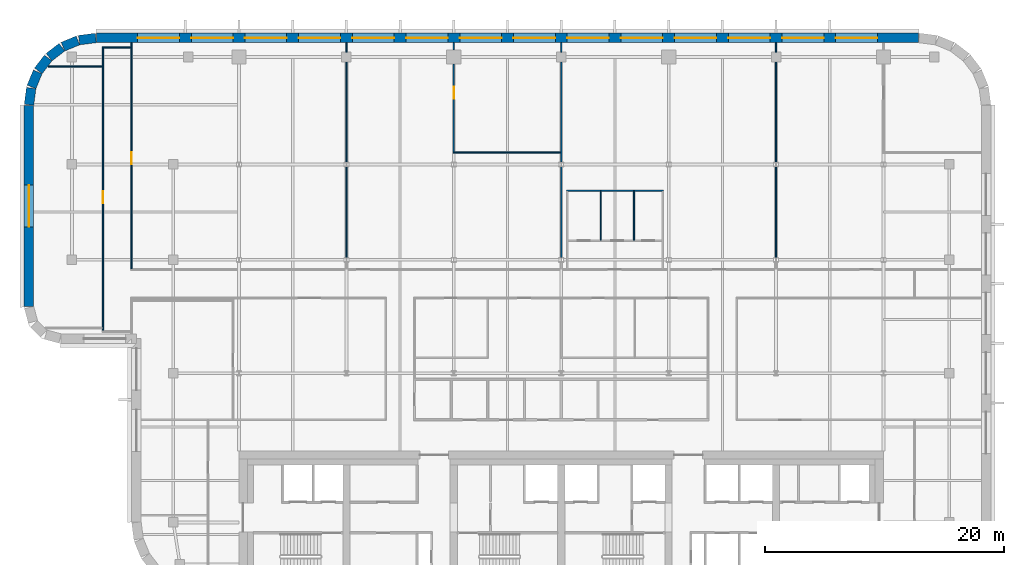
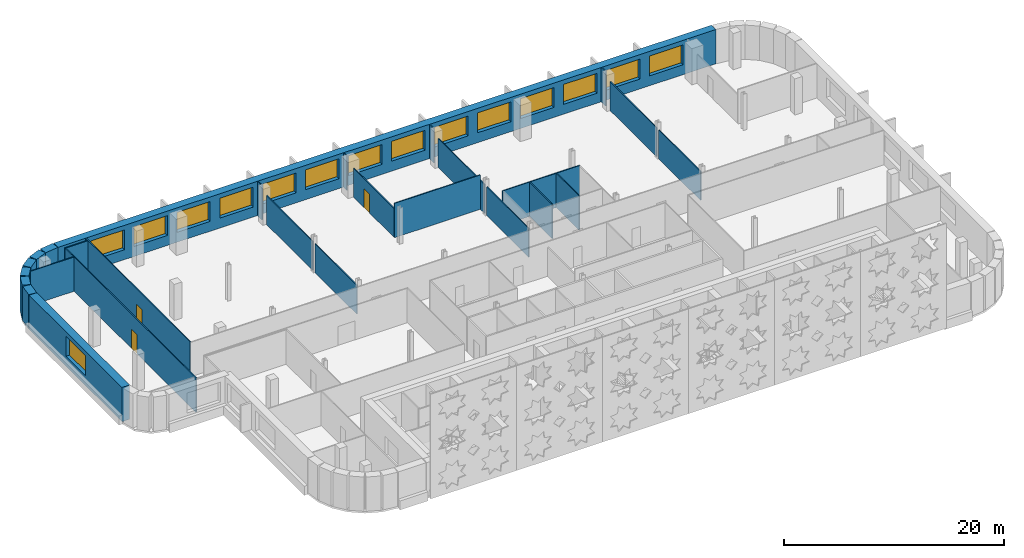
# One storey, part 10 of 17: 27 walls, 15 windows, 3 doors, 18 openings.
"""IFC4 building model written with IfcOpenShell, lengths in metres."""

from ifc_helpers import new_model, si_unit, direction, frame, frame_2d, origin, place, context, subcontext, project, spatial, rectangle, extrude, material, layer, layer_set, type_object, element, fill, save


model = new_model("IFC4")

# Units and contexts
model_context = context("Model", 3, precision=1e-05, world=origin(), true_north=direction((0.0, 1.0)))
body_context = subcontext(model_context, "Body", "Model", "MODEL_VIEW")
ifc_project = project(units=[si_unit("LENGTHUNIT", "METRE"), si_unit("AREAUNIT", "SQUARE_METRE"), si_unit("VOLUMEUNIT", "CUBIC_METRE"), si_unit("PLANEANGLEUNIT", "RADIAN"), si_unit("MASSUNIT", "GRAM", prefix="KILO")], contexts=[model_context])

# Site, building, storey
site_placement = place(None, origin())
site = spatial("IfcSite", under=ifc_project, at=site_placement, CompositionType="ELEMENT")
building_placement = place(site_placement, origin())
building = spatial("IfcBuilding", under=site, at=building_placement, Name="Zellij Exchange Tower", CompositionType="ELEMENT")
storey_placement = place(building_placement, frame((0.0, 0.0, 252.5)))
storey = spatial("IfcBuildingStorey", under=building, at=storey_placement, Name="L59", CompositionType="ELEMENT", Elevation=252.5)

# Wall, openings, windows
ifc_material_1 = material(Name="Precast concrete C40/50", Category="concrete")
ifc_layer_1 = layer(ifc_material_1, 0.800048828125)
ifc_layer_set_1 = layer_set([ifc_layer_1], Name="Precast concrete C40/50")
wall_type_1 = type_object("IfcWallType", Name="ENV-EW1 Precast stone-piered wall 800", PredefinedType="SOLIDWALL", material=ifc_layer_set_1)
wall_1_placement = place(storey_placement, frame((29.947509765625, 32.60009765625, 0.0), z_axis=(0.0, 0.0, 1.0), x_axis=(-1.0, 0.0, 0.0)))
wall_1 = element("IfcWall", 1, at=wall_1_placement, inside=storey, type_object=wall_type_1, Name="fac.L59.14", PredefinedType="SOLIDWALL", context=body_context, shape_type="SweptSolid", body=[
    extrude(rectangle(XDim=68.89501953125, YDim=0.800048828125, at=frame_2d((34.447509765625, 0.0))), origin(), (0.0, 0.0, 1.0), 3.800048828125),
])
opening_1_placement = place(wall_1_placement, frame((3.447509765625, 0.0, 1.10009765625)))
opening_1 = element("IfcOpeningElement", 2, at=opening_1_placement, cuts=wall_1, Name="Opening FZ4.06", PredefinedType="OPENING", context=body_context, shape_type="SweptSolid", body=[
    extrude(rectangle(XDim=3.5, YDim=2.199951171875, at=frame_2d((1.75, 1.10009765625))), frame((0.0, 0.412109375, 0.0), z_axis=(0.0, -1.0, 0.0), x_axis=(1.0, 0.0, 0.0)), (0.0, 0.0, 1.0), 0.823974609375),
])
opening_2_placement = place(wall_1_placement, frame((7.947509765625, 0.0, 1.10009765625)))
opening_2 = element("IfcOpeningElement", 3, at=opening_2_placement, cuts=wall_1, Name="Opening FZ4.07", PredefinedType="OPENING", context=body_context, shape_type="SweptSolid", body=[
    extrude(rectangle(XDim=3.5, YDim=2.199951171875, at=frame_2d((1.75, 1.10009765625))), frame((0.0, 0.412109375, 0.0), z_axis=(0.0, -1.0, 0.0), x_axis=(1.0, 0.0, 0.0)), (0.0, 0.0, 1.0), 0.823974609375),
])
opening_3_placement = place(wall_1_placement, frame((12.447509765625, 0.0, 1.10009765625)))
opening_3 = element("IfcOpeningElement", 4, at=opening_3_placement, cuts=wall_1, Name="Opening FZ4.08", PredefinedType="OPENING", context=body_context, shape_type="SweptSolid", body=[
    extrude(rectangle(XDim=3.5, YDim=2.199951171875, at=frame_2d((1.75, 1.10009765625))), frame((0.0, 0.412109375, 0.0), z_axis=(0.0, -1.0, 0.0), x_axis=(1.0, 0.0, 0.0)), (0.0, 0.0, 1.0), 0.823974609375),
])
opening_4_placement = place(wall_1_placement, frame((16.947509765625, 0.0, 1.10009765625)))
opening_4 = element("IfcOpeningElement", 5, at=opening_4_placement, cuts=wall_1, Name="Opening FZ4.09", PredefinedType="OPENING", context=body_context, shape_type="SweptSolid", body=[
    extrude(rectangle(XDim=3.5, YDim=2.199951171875, at=frame_2d((1.75, 1.10009765625))), frame((0.0, 0.412109375, 0.0), z_axis=(0.0, -1.0, 0.0), x_axis=(1.0, 0.0, 0.0)), (0.0, 0.0, 1.0), 0.823974609375),
])
opening_5_placement = place(wall_1_placement, frame((21.447509765625, 0.0, 1.10009765625)))
opening_5 = element("IfcOpeningElement", 6, at=opening_5_placement, cuts=wall_1, Name="Opening FZ4.10", PredefinedType="OPENING", context=body_context, shape_type="SweptSolid", body=[
    extrude(rectangle(XDim=3.5, YDim=2.199951171875, at=frame_2d((1.75, 1.10009765625))), frame((0.0, 0.412109375, 0.0), z_axis=(0.0, -1.0, 0.0), x_axis=(1.0, 0.0, 0.0)), (0.0, 0.0, 1.0), 0.823974609375),
])
opening_6_placement = place(wall_1_placement, frame((25.947509765625, 0.0, 1.10009765625)))
opening_6 = element("IfcOpeningElement", 7, at=opening_6_placement, cuts=wall_1, Name="Opening FZ4.11", PredefinedType="OPENING", context=body_context, shape_type="SweptSolid", body=[
    extrude(rectangle(XDim=3.5, YDim=2.199951171875, at=frame_2d((1.75, 1.10009765625))), frame((0.0, 0.412109375, 0.0), z_axis=(0.0, -1.0, 0.0), x_axis=(1.0, 0.0, 0.0)), (0.0, 0.0, 1.0), 0.823974609375),
])
opening_7_placement = place(wall_1_placement, frame((30.447509765625, 0.0, 1.10009765625)))
opening_7 = element("IfcOpeningElement", 8, at=opening_7_placement, cuts=wall_1, Name="Opening FZ4.12", PredefinedType="OPENING", context=body_context, shape_type="SweptSolid", body=[
    extrude(rectangle(XDim=3.5, YDim=2.199951171875, at=frame_2d((1.75, 1.10009765625))), frame((0.0, 0.412109375, 0.0), z_axis=(0.0, -1.0, 0.0), x_axis=(1.0, 0.0, 0.0)), (0.0, 0.0, 1.0), 0.823974609375),
])
opening_8_placement = place(wall_1_placement, frame((34.947509765625, 0.0, 1.10009765625)))
opening_8 = element("IfcOpeningElement", 9, at=opening_8_placement, cuts=wall_1, Name="Opening FZ4.13", PredefinedType="OPENING", context=body_context, shape_type="SweptSolid", body=[
    extrude(rectangle(XDim=3.5, YDim=2.199951171875, at=frame_2d((1.75, 1.10009765625))), frame((0.0, 0.412109375, 0.0), z_axis=(0.0, -1.0, 0.0), x_axis=(1.0, 0.0, 0.0)), (0.0, 0.0, 1.0), 0.823974609375),
])
opening_9_placement = place(wall_1_placement, frame((39.447509765625, 0.0, 1.10009765625)))
opening_9 = element("IfcOpeningElement", 10, at=opening_9_placement, cuts=wall_1, Name="Opening FZ4.14", PredefinedType="OPENING", context=body_context, shape_type="SweptSolid", body=[
    extrude(rectangle(XDim=3.5, YDim=2.199951171875, at=frame_2d((1.75, 1.10009765625))), frame((0.0, 0.412109375, 0.0), z_axis=(0.0, -1.0, 0.0), x_axis=(1.0, 0.0, 0.0)), (0.0, 0.0, 1.0), 0.823974609375),
])
opening_10_placement = place(wall_1_placement, frame((43.947509765625, 0.0, 1.10009765625)))
opening_10 = element("IfcOpeningElement", 11, at=opening_10_placement, cuts=wall_1, Name="Opening FZ4.15", PredefinedType="OPENING", context=body_context, shape_type="SweptSolid", body=[
    extrude(rectangle(XDim=3.5, YDim=2.199951171875, at=frame_2d((1.75, 1.10009765625))), frame((0.0, 0.412109375, 0.0), z_axis=(0.0, -1.0, 0.0), x_axis=(1.0, 0.0, 0.0)), (0.0, 0.0, 1.0), 0.823974609375),
])
opening_11_placement = place(wall_1_placement, frame((48.447509765625, 0.0, 1.10009765625)))
opening_11 = element("IfcOpeningElement", 12, at=opening_11_placement, cuts=wall_1, Name="Opening FZ4.16", PredefinedType="OPENING", context=body_context, shape_type="SweptSolid", body=[
    extrude(rectangle(XDim=3.5, YDim=2.199951171875, at=frame_2d((1.75, 1.10009765625))), frame((0.0, 0.412109375, 0.0), z_axis=(0.0, -1.0, 0.0), x_axis=(1.0, 0.0, 0.0)), (0.0, 0.0, 1.0), 0.823974609375),
])
opening_12_placement = place(wall_1_placement, frame((52.947509765625, 0.0, 1.10009765625)))
opening_12 = element("IfcOpeningElement", 13, at=opening_12_placement, cuts=wall_1, Name="Opening FZ4.17", PredefinedType="OPENING", context=body_context, shape_type="SweptSolid", body=[
    extrude(rectangle(XDim=3.5, YDim=2.199951171875, at=frame_2d((1.75, 1.10009765625))), frame((0.0, 0.412109375, 0.0), z_axis=(0.0, -1.0, 0.0), x_axis=(1.0, 0.0, 0.0)), (0.0, 0.0, 1.0), 0.823974609375),
])
opening_13_placement = place(wall_1_placement, frame((57.447509765625, 0.0, 1.10009765625)))
opening_13 = element("IfcOpeningElement", 14, at=opening_13_placement, cuts=wall_1, Name="Opening FZ4.18", PredefinedType="OPENING", context=body_context, shape_type="SweptSolid", body=[
    extrude(rectangle(XDim=3.5, YDim=2.199951171875, at=frame_2d((1.75, 1.10009765625))), frame((0.0, 0.412109375, 0.0), z_axis=(0.0, -1.0, 0.0), x_axis=(1.0, 0.0, 0.0)), (0.0, 0.0, 1.0), 0.823974609375),
])
opening_14_placement = place(wall_1_placement, frame((61.947509765625, 0.0, 1.10009765625)))
opening_14 = element("IfcOpeningElement", 15, at=opening_14_placement, cuts=wall_1, Name="Opening FZ4.19", PredefinedType="OPENING", context=body_context, shape_type="SweptSolid", body=[
    extrude(rectangle(XDim=3.5, YDim=2.199951171875, at=frame_2d((1.75, 1.10009765625))), frame((0.0, 0.412109375, 0.0), z_axis=(0.0, -1.0, 0.0), x_axis=(1.0, 0.0, 0.0)), (0.0, 0.0, 1.0), 0.823974609375),
])
ifc_material_2 = material(Name="Aluminium frame with insulating glass", Category="aluminium")
window_type = type_object("IfcWindowType", Name="ENV-W7 Window 3500x2200", PartitioningType="SINGLE_PANEL", PredefinedType="WINDOW", material=ifc_material_2)
window_1_placement = place(opening_1_placement, origin())
window_1 = element("IfcWindow", 16, at=window_1_placement, inside=storey, type_object=window_type, Name="Window FZ4.06", OverallHeight=2.199951171875, OverallWidth=3.5, PartitioningType="SINGLE_PANEL", PredefinedType="WINDOW", context=body_context, shape_type="SweptSolid", body=[
    extrude(rectangle(XDim=3.5, YDim=2.199951171875, at=frame_2d((1.75, 1.10009765625))), frame((0.0, 0.030029296875, 0.0), z_axis=(0.0, -1.0, 0.0), x_axis=(1.0, 0.0, 0.0)), (0.0, 0.0, 1.0), 0.06005859375),
])
fill(opening_1, window_1)
window_2_placement = place(opening_2_placement, origin())
window_2 = element("IfcWindow", 17, at=window_2_placement, inside=storey, type_object=window_type, Name="Window FZ4.07", OverallHeight=2.199951171875, OverallWidth=3.5, PartitioningType="SINGLE_PANEL", PredefinedType="WINDOW", context=body_context, shape_type="SweptSolid", body=[
    extrude(rectangle(XDim=3.5, YDim=2.199951171875, at=frame_2d((1.75, 1.10009765625))), frame((0.0, 0.030029296875, 0.0), z_axis=(0.0, -1.0, 0.0), x_axis=(1.0, 0.0, 0.0)), (0.0, 0.0, 1.0), 0.06005859375),
])
fill(opening_2, window_2)
window_3_placement = place(opening_3_placement, origin())
window_3 = element("IfcWindow", 18, at=window_3_placement, inside=storey, type_object=window_type, Name="Window FZ4.08", OverallHeight=2.199951171875, OverallWidth=3.5, PartitioningType="SINGLE_PANEL", PredefinedType="WINDOW", context=body_context, shape_type="SweptSolid", body=[
    extrude(rectangle(XDim=3.5, YDim=2.199951171875, at=frame_2d((1.75, 1.10009765625))), frame((0.0, 0.030029296875, 0.0), z_axis=(0.0, -1.0, 0.0), x_axis=(1.0, 0.0, 0.0)), (0.0, 0.0, 1.0), 0.06005859375),
])
fill(opening_3, window_3)
window_4_placement = place(opening_4_placement, origin())
window_4 = element("IfcWindow", 19, at=window_4_placement, inside=storey, type_object=window_type, Name="Window FZ4.09", OverallHeight=2.199951171875, OverallWidth=3.5, PartitioningType="SINGLE_PANEL", PredefinedType="WINDOW", context=body_context, shape_type="SweptSolid", body=[
    extrude(rectangle(XDim=3.5, YDim=2.199951171875, at=frame_2d((1.75, 1.10009765625))), frame((0.0, 0.030029296875, 0.0), z_axis=(0.0, -1.0, 0.0), x_axis=(1.0, 0.0, 0.0)), (0.0, 0.0, 1.0), 0.06005859375),
])
fill(opening_4, window_4)
window_5_placement = place(opening_5_placement, origin())
window_5 = element("IfcWindow", 20, at=window_5_placement, inside=storey, type_object=window_type, Name="Window FZ4.10", OverallHeight=2.199951171875, OverallWidth=3.5, PartitioningType="SINGLE_PANEL", PredefinedType="WINDOW", context=body_context, shape_type="SweptSolid", body=[
    extrude(rectangle(XDim=3.5, YDim=2.199951171875, at=frame_2d((1.75, 1.10009765625))), frame((0.0, 0.030029296875, 0.0), z_axis=(0.0, -1.0, 0.0), x_axis=(1.0, 0.0, 0.0)), (0.0, 0.0, 1.0), 0.06005859375),
])
fill(opening_5, window_5)
window_6_placement = place(opening_6_placement, origin())
window_6 = element("IfcWindow", 21, at=window_6_placement, inside=storey, type_object=window_type, Name="Window FZ4.11", OverallHeight=2.199951171875, OverallWidth=3.5, PartitioningType="SINGLE_PANEL", PredefinedType="WINDOW", context=body_context, shape_type="SweptSolid", body=[
    extrude(rectangle(XDim=3.5, YDim=2.199951171875, at=frame_2d((1.75, 1.10009765625))), frame((0.0, 0.030029296875, 0.0), z_axis=(0.0, -1.0, 0.0), x_axis=(1.0, 0.0, 0.0)), (0.0, 0.0, 1.0), 0.06005859375),
])
fill(opening_6, window_6)
window_7_placement = place(opening_7_placement, origin())
window_7 = element("IfcWindow", 22, at=window_7_placement, inside=storey, type_object=window_type, Name="Window FZ4.12", OverallHeight=2.199951171875, OverallWidth=3.5, PartitioningType="SINGLE_PANEL", PredefinedType="WINDOW", context=body_context, shape_type="SweptSolid", body=[
    extrude(rectangle(XDim=3.5, YDim=2.199951171875, at=frame_2d((1.75, 1.10009765625))), frame((0.0, 0.030029296875, 0.0), z_axis=(0.0, -1.0, 0.0), x_axis=(1.0, 0.0, 0.0)), (0.0, 0.0, 1.0), 0.06005859375),
])
fill(opening_7, window_7)
window_8_placement = place(opening_8_placement, origin())
window_8 = element("IfcWindow", 23, at=window_8_placement, inside=storey, type_object=window_type, Name="Window FZ4.13", OverallHeight=2.199951171875, OverallWidth=3.5, PartitioningType="SINGLE_PANEL", PredefinedType="WINDOW", context=body_context, shape_type="SweptSolid", body=[
    extrude(rectangle(XDim=3.5, YDim=2.199951171875, at=frame_2d((1.75, 1.10009765625))), frame((0.0, 0.030029296875, 0.0), z_axis=(0.0, -1.0, 0.0), x_axis=(1.0, 0.0, 0.0)), (0.0, 0.0, 1.0), 0.06005859375),
])
fill(opening_8, window_8)
window_9_placement = place(opening_9_placement, origin())
window_9 = element("IfcWindow", 24, at=window_9_placement, inside=storey, type_object=window_type, Name="Window FZ4.14", OverallHeight=2.199951171875, OverallWidth=3.5, PartitioningType="SINGLE_PANEL", PredefinedType="WINDOW", context=body_context, shape_type="SweptSolid", body=[
    extrude(rectangle(XDim=3.5, YDim=2.199951171875, at=frame_2d((1.75, 1.10009765625))), frame((0.0, 0.030029296875, 0.0), z_axis=(0.0, -1.0, 0.0), x_axis=(1.0, 0.0, 0.0)), (0.0, 0.0, 1.0), 0.06005859375),
])
fill(opening_9, window_9)
window_10_placement = place(opening_10_placement, origin())
window_10 = element("IfcWindow", 25, at=window_10_placement, inside=storey, type_object=window_type, Name="Window FZ4.15", OverallHeight=2.199951171875, OverallWidth=3.5, PartitioningType="SINGLE_PANEL", PredefinedType="WINDOW", context=body_context, shape_type="SweptSolid", body=[
    extrude(rectangle(XDim=3.5, YDim=2.199951171875, at=frame_2d((1.75, 1.10009765625))), frame((0.0, 0.030029296875, 0.0), z_axis=(0.0, -1.0, 0.0), x_axis=(1.0, 0.0, 0.0)), (0.0, 0.0, 1.0), 0.06005859375),
])
fill(opening_10, window_10)
window_11_placement = place(opening_11_placement, origin())
window_11 = element("IfcWindow", 26, at=window_11_placement, inside=storey, type_object=window_type, Name="Window FZ4.16", OverallHeight=2.199951171875, OverallWidth=3.5, PartitioningType="SINGLE_PANEL", PredefinedType="WINDOW", context=body_context, shape_type="SweptSolid", body=[
    extrude(rectangle(XDim=3.5, YDim=2.199951171875, at=frame_2d((1.75, 1.10009765625))), frame((0.0, 0.030029296875, 0.0), z_axis=(0.0, -1.0, 0.0), x_axis=(1.0, 0.0, 0.0)), (0.0, 0.0, 1.0), 0.06005859375),
])
fill(opening_11, window_11)
window_12_placement = place(opening_12_placement, origin())
window_12 = element("IfcWindow", 27, at=window_12_placement, inside=storey, type_object=window_type, Name="Window FZ4.17", OverallHeight=2.199951171875, OverallWidth=3.5, PartitioningType="SINGLE_PANEL", PredefinedType="WINDOW", context=body_context, shape_type="SweptSolid", body=[
    extrude(rectangle(XDim=3.5, YDim=2.199951171875, at=frame_2d((1.75, 1.10009765625))), frame((0.0, 0.030029296875, 0.0), z_axis=(0.0, -1.0, 0.0), x_axis=(1.0, 0.0, 0.0)), (0.0, 0.0, 1.0), 0.06005859375),
])
fill(opening_12, window_12)
window_13_placement = place(opening_13_placement, origin())
window_13 = element("IfcWindow", 28, at=window_13_placement, inside=storey, type_object=window_type, Name="Window FZ4.18", OverallHeight=2.199951171875, OverallWidth=3.5, PartitioningType="SINGLE_PANEL", PredefinedType="WINDOW", context=body_context, shape_type="SweptSolid", body=[
    extrude(rectangle(XDim=3.5, YDim=2.199951171875, at=frame_2d((1.75, 1.10009765625))), frame((0.0, 0.030029296875, 0.0), z_axis=(0.0, -1.0, 0.0), x_axis=(1.0, 0.0, 0.0)), (0.0, 0.0, 1.0), 0.06005859375),
])
fill(opening_13, window_13)
window_14_placement = place(opening_14_placement, origin())
window_14 = element("IfcWindow", 29, at=window_14_placement, inside=storey, type_object=window_type, Name="Window FZ4.19", OverallHeight=2.199951171875, OverallWidth=3.5, PartitioningType="SINGLE_PANEL", PredefinedType="WINDOW", context=body_context, shape_type="SweptSolid", body=[
    extrude(rectangle(XDim=3.5, YDim=2.199951171875, at=frame_2d((1.75, 1.10009765625))), frame((0.0, 0.030029296875, 0.0), z_axis=(0.0, -1.0, 0.0), x_axis=(1.0, 0.0, 0.0)), (0.0, 0.0, 1.0), 0.06005859375),
])
fill(opening_14, window_14)

# Walls
wall_2_placement = place(storey_placement, frame((-38.999755859375, 32.5966796875, 0.0), z_axis=(0.0, 0.0, 1.0), x_axis=(-0.99144603414, -0.130517283865, 0.0)))
element("IfcWall", 30, at=wall_2_placement, inside=storey, type_object=wall_type_1, Name="fac.L59.15", PredefinedType="SOLIDWALL", context=body_context, shape_type="SweptSolid", body=[
    extrude(rectangle(XDim=1.408447265625, YDim=0.800048828125, at=frame_2d((0.7041015625, 0.0))), origin(), (0.0, 0.0, 1.0), 3.800048828125),
])
wall_3_placement = place(storey_placement, frame((-40.497314453125, 32.3857421875, 0.0), z_axis=(0.0, 0.0, 1.0), x_axis=(-0.923847774587, -0.38276009378, 0.0)))
element("IfcWall", 31, at=wall_3_placement, inside=storey, type_object=wall_type_1, Name="fac.L59.16", PredefinedType="SOLIDWALL", context=body_context, shape_type="SweptSolid", body=[
    extrude(rectangle(XDim=1.35546875, YDim=0.800048828125, at=frame_2d((0.677734375, 0.0))), origin(), (0.0, 0.0, 1.0), 3.800048828125),
])
for number, where, z_axis, x_axis, name in (
    (32, (-41.840087890625, 31.814697265625, 0.0), (0.0, 0.0, 1.0), (-0.793272915452, -0.608866226366, 0.0), "fac.L59.17"),
    (33, (-42.9892578125, 30.91552734375, 0.0), (0.0, 0.0, 1.0), (-0.608866226366, -0.793272915452, 0.0), "fac.L59.18"),
):
    element("IfcWall", number, at=place(storey_placement, frame(where, z_axis=z_axis, x_axis=x_axis)), inside=storey, type_object=wall_type_1, Name=name, PredefinedType="SOLIDWALL", context=body_context, shape_type="SweptSolid", body=[
        extrude(rectangle(XDim=1.355712890625, YDim=0.800048828125, at=frame_2d((0.677734375, 0.0))), origin(), (0.0, 0.0, 1.0), 3.800048828125),
    ])
wall_4_placement = place(storey_placement, frame((-43.866943359375, 29.74951171875, 0.0), z_axis=(0.0, 0.0, 1.0), x_axis=(-0.38276009378, -0.923847774587, 0.0)))
element("IfcWall", 34, at=wall_4_placement, inside=storey, type_object=wall_type_1, Name="fac.L59.19", PredefinedType="SOLIDWALL", context=body_context, shape_type="SweptSolid", body=[
    extrude(rectangle(XDim=1.35546875, YDim=0.800048828125, at=frame_2d((0.677734375, 0.0))), origin(), (0.0, 0.0, 1.0), 3.800048828125),
])
wall_5_placement = place(storey_placement, frame((-44.412841796875, 28.396240234375, 0.0), z_axis=(0.0, 0.0, 1.0), x_axis=(-0.130517283865, -0.99144603414, 0.0)))
element("IfcWall", 35, at=wall_5_placement, inside=storey, type_object=wall_type_1, Name="fac.L59.20", PredefinedType="SOLIDWALL", context=body_context, shape_type="SweptSolid", body=[
    extrude(rectangle(XDim=1.408447265625, YDim=0.800048828125, at=frame_2d((0.7041015625, 0.0))), origin(), (0.0, 0.0, 1.0), 3.800048828125),
])

# Wall, opening, window
wall_6_placement = place(storey_placement, frame((-44.60009765625, 26.947509765625, 0.0), z_axis=(0.0, 0.0, 1.0), x_axis=(0.0, -1.0, 0.0)))
wall_6 = element("IfcWall", 36, at=wall_6_placement, inside=storey, type_object=wall_type_1, Name="fac.L59.21", PredefinedType="SOLIDWALL", context=body_context, shape_type="SweptSolid", body=[
    extrude(rectangle(XDim=16.842041015625, YDim=0.800048828125, at=frame_2d((8.4208984375, 0.0))), origin(), (0.0, 0.0, 1.0), 3.800048828125),
])
opening_15_placement = place(wall_6_placement, frame((6.684326171875, 0.0, 1.10009765625)))
opening_15 = element("IfcOpeningElement", 37, at=opening_15_placement, cuts=wall_6, Name="Opening FZ4.20", PredefinedType="OPENING", context=body_context, shape_type="SweptSolid", body=[
    extrude(rectangle(XDim=3.5, YDim=2.199951171875, at=frame_2d((1.75, 1.10009765625))), frame((0.0, 0.412109375, 0.0), z_axis=(0.0, -1.0, 0.0), x_axis=(1.0, 0.0, 0.0)), (0.0, 0.0, 1.0), 0.823974609375),
])
window_15_placement = place(opening_15_placement, origin())
window_15 = element("IfcWindow", 38, at=window_15_placement, inside=storey, type_object=window_type, Name="Window FZ4.20", OverallHeight=2.199951171875, OverallWidth=3.5, PartitioningType="SINGLE_PANEL", PredefinedType="WINDOW", context=body_context, shape_type="SweptSolid", body=[
    extrude(rectangle(XDim=3.5, YDim=2.199951171875, at=frame_2d((1.75, 1.10009765625))), frame((0.0, 0.030029296875, 0.0), z_axis=(0.0, -1.0, 0.0), x_axis=(1.0, 0.0, 0.0)), (0.0, 0.0, 1.0), 0.06005859375),
])
fill(opening_15, window_15)

# Wall, opening, door
ifc_material_3 = material(Name="Gypsum board partition on steel studs", Category="steel")
ifc_layer_2 = layer(ifc_material_3, 0.10009765625)
ifc_layer_set_2 = layer_set([ifc_layer_2], Name="Gypsum board partition on steel studs")
wall_type_2 = type_object("IfcWallType", Name="FIT-PARTITION-100", PredefinedType="PARTITIONING", material=ifc_layer_set_2)
wall_7_placement = place(storey_placement, frame((-38.39990234375, 8.050048828125, 0.0), z_axis=(0.0, 0.0, 1.0), x_axis=(0.0, 1.0, 0.0)))
wall_7 = element("IfcWall", 39, at=wall_7_placement, inside=storey, type_object=wall_type_2, Name="FIT-PARTITION-100 029", PredefinedType="PARTITIONING", context=body_context, shape_type="SweptSolid", body=[
    extrude(rectangle(XDim=23.699951171875, YDim=0.10009765625, at=frame_2d((11.85009765625, 0.0))), origin(), (0.0, 0.0, 1.0), 3.800048828125),
])
opening_16_placement = place(wall_7_placement, frame((10.699951171875, 0.0, 0.0)))
opening_16 = element("IfcOpeningElement", 40, at=opening_16_placement, cuts=wall_7, Name="Opening O4D.23", PredefinedType="OPENING", context=body_context, shape_type="SweptSolid", body=[
    extrude(rectangle(XDim=1.0, YDim=2.10009765625, at=frame_2d((0.5, 1.050048828125))), frame((0.0, 0.06201171875, 0.0), z_axis=(0.0, -1.0, 0.0), x_axis=(1.0, 0.0, 0.0)), (0.0, 0.0, 1.0), 0.1240234375),
])
ifc_material_4 = material(Name="Timber door set", Category="wood")
door_type = type_object("IfcDoorType", Name="FIT-D2-WIDE-1000X2100", OperationType="SINGLE_SWING_LEFT", PredefinedType="DOOR", material=ifc_material_4)
door_1_placement = place(opening_16_placement, origin())
door_1 = element("IfcDoor", 41, at=door_1_placement, inside=storey, type_object=door_type, Name="Door O4D.23", OperationType="SINGLE_SWING_RIGHT", OverallHeight=2.10009765625, OverallWidth=1.0, PredefinedType="DOOR", context=body_context, shape_type="SweptSolid", body=[
    extrude(rectangle(XDim=1.0, YDim=2.10009765625, at=frame_2d((0.5, 1.050048828125))), frame((0.0, 0.02490234375, 0.0), z_axis=(0.0, -1.0, 0.0), x_axis=(1.0, 0.0, 0.0)), (0.0, 0.0, 1.0), 0.050048828125),
])
fill(opening_16, door_1)

wall_8_placement = place(storey_placement, frame((-36.0, 13.25, 0.0), z_axis=(0.0, 0.0, 1.0), x_axis=(0.0, 1.0, 0.0)))
wall_8 = element("IfcWall", 42, at=wall_8_placement, inside=storey, type_object=wall_type_2, Name="FIT-PARTITION-100 037", PredefinedType="PARTITIONING", context=body_context, shape_type="SweptSolid", body=[
    extrude(rectangle(XDim=18.949951171875, YDim=0.10009765625, at=frame_2d((9.47509765625, 0.0))), origin(), (0.0, 0.0, 1.0), 3.800048828125),
])
opening_17_placement = place(wall_8_placement, frame((8.75, 0.0, 0.0)))
opening_17 = element("IfcOpeningElement", 43, at=opening_17_placement, cuts=wall_8, Name="Opening O4D.24", PredefinedType="OPENING", context=body_context, shape_type="SweptSolid", body=[
    extrude(rectangle(XDim=1.0, YDim=2.10009765625, at=frame_2d((0.5, 1.050048828125))), frame((0.0, 0.06201171875, 0.0), z_axis=(0.0, -1.0, 0.0), x_axis=(1.0, 0.0, 0.0)), (0.0, 0.0, 1.0), 0.1240234375),
])
door_2_placement = place(opening_17_placement, origin())
door_2 = element("IfcDoor", 44, at=door_2_placement, inside=storey, type_object=door_type, Name="Door O4D.24", OperationType="SINGLE_SWING_LEFT", OverallHeight=2.10009765625, OverallWidth=1.0, PredefinedType="DOOR", context=body_context, shape_type="SweptSolid", body=[
    extrude(rectangle(XDim=1.0, YDim=2.10009765625, at=frame_2d((0.5, 1.050048828125))), frame((0.0, 0.02490234375, 0.0), z_axis=(0.0, -1.0, 0.0), x_axis=(1.0, 0.0, 0.0)), (0.0, 0.0, 1.0), 0.050048828125),
])
fill(opening_17, door_2)

# Walls
wall_9_placement = place(storey_placement, frame((-18.0, 14.193115234375, 0.0), z_axis=(0.0, 0.0, 1.0), x_axis=(0.0, 1.0, 0.0)))
element("IfcWall", 45, at=wall_9_placement, inside=storey, type_object=wall_type_2, Name="FIT-PARTITION-100 039", PredefinedType="PARTITIONING", context=body_context, shape_type="SweptSolid", body=[
    extrude(rectangle(XDim=7.61376953125, YDim=0.10009765625, at=frame_2d((3.806884765625, 0.0))), origin(), (0.0, 0.0, 1.0), 3.19287109375),
])
wall_10_placement = place(storey_placement, frame((-18.0, 22.193115234375, 0.0), z_axis=(0.0, 0.0, 1.0), x_axis=(0.0, 1.0, 0.0)))
element("IfcWall", 46, at=wall_10_placement, inside=storey, type_object=wall_type_2, Name="FIT-PARTITION-100 040", PredefinedType="PARTITIONING", context=body_context, shape_type="SweptSolid", body=[
    extrude(rectangle(XDim=8.406982421875, YDim=0.10009765625, at=frame_2d((4.20361328125, 0.0))), origin(), (0.0, 0.0, 1.0), 3.19287109375),
])
wall_11_placement = place(storey_placement, frame((-18.0, 31.39990234375, 0.0), z_axis=(0.0, 0.0, 1.0), x_axis=(0.0, 1.0, 0.0)))
element("IfcWall", 47, at=wall_11_placement, inside=storey, type_object=wall_type_2, Name="FIT-PARTITION-100 041", PredefinedType="PARTITIONING", context=body_context, shape_type="SweptSolid", body=[
    extrude(rectangle(XDim=0.800048828125, YDim=0.10009765625, at=frame_2d((0.39990234375, 0.0))), origin(), (0.0, 0.0, 1.0), 3.800048828125),
])
wall_12_placement = place(storey_placement, frame((0.0, 14.193115234375, 0.0), z_axis=(0.0, 0.0, 1.0), x_axis=(0.0, 1.0, 0.0)))
element("IfcWall", 48, at=wall_12_placement, inside=storey, type_object=wall_type_2, Name="FIT-PARTITION-100 043", PredefinedType="PARTITIONING", context=body_context, shape_type="SweptSolid", body=[
    extrude(rectangle(XDim=7.61376953125, YDim=0.10009765625, at=frame_2d((3.806884765625, 0.0))), origin(), (0.0, 0.0, 1.0), 3.19287109375),
])
wall_13_placement = place(storey_placement, frame((0.0, 22.193115234375, 0.0), z_axis=(0.0, 0.0, 1.0), x_axis=(0.0, 1.0, 0.0)))
element("IfcWall", 49, at=wall_13_placement, inside=storey, type_object=wall_type_2, Name="FIT-PARTITION-100 044", PredefinedType="PARTITIONING", context=body_context, shape_type="SweptSolid", body=[
    extrude(rectangle(XDim=8.406982421875, YDim=0.10009765625, at=frame_2d((4.20361328125, 0.0))), origin(), (0.0, 0.0, 1.0), 3.19287109375),
])
wall_14_placement = place(storey_placement, frame((0.0, 31.39990234375, 0.0), z_axis=(0.0, 0.0, 1.0), x_axis=(0.0, 1.0, 0.0)))
element("IfcWall", 50, at=wall_14_placement, inside=storey, type_object=wall_type_2, Name="FIT-PARTITION-100 045", PredefinedType="PARTITIONING", context=body_context, shape_type="SweptSolid", body=[
    extrude(rectangle(XDim=0.800048828125, YDim=0.10009765625, at=frame_2d((0.39990234375, 0.0))), origin(), (0.0, 0.0, 1.0), 3.800048828125),
])
wall_15_placement = place(storey_placement, frame((18.0, 14.193115234375, 0.0), z_axis=(0.0, 0.0, 1.0), x_axis=(0.0, 1.0, 0.0)))
element("IfcWall", 51, at=wall_15_placement, inside=storey, type_object=wall_type_2, Name="FIT-PARTITION-100 049", PredefinedType="PARTITIONING", context=body_context, shape_type="SweptSolid", body=[
    extrude(rectangle(XDim=7.61376953125, YDim=0.10009765625, at=frame_2d((3.806884765625, 0.0))), origin(), (0.0, 0.0, 1.0), 3.19287109375),
])
wall_16_placement = place(storey_placement, frame((18.0, 22.193115234375, 0.0), z_axis=(0.0, 0.0, 1.0), x_axis=(0.0, 1.0, 0.0)))
element("IfcWall", 52, at=wall_16_placement, inside=storey, type_object=wall_type_2, Name="FIT-PARTITION-100 050", PredefinedType="PARTITIONING", context=body_context, shape_type="SweptSolid", body=[
    extrude(rectangle(XDim=8.406982421875, YDim=0.10009765625, at=frame_2d((4.20361328125, 0.0))), origin(), (0.0, 0.0, 1.0), 3.19287109375),
])
wall_17_placement = place(storey_placement, frame((18.0, 31.39990234375, 0.0), z_axis=(0.0, 0.0, 1.0), x_axis=(0.0, 1.0, 0.0)))
element("IfcWall", 53, at=wall_17_placement, inside=storey, type_object=wall_type_2, Name="FIT-PARTITION-100 051", PredefinedType="PARTITIONING", context=body_context, shape_type="SweptSolid", body=[
    extrude(rectangle(XDim=0.800048828125, YDim=0.10009765625, at=frame_2d((0.39990234375, 0.0))), origin(), (0.0, 0.0, 1.0), 3.800048828125),
])
for number, where, z_axis, x_axis, name in (
    (54, (3.300048828125, 15.64990234375, 0.0), (0.0, 0.0, 1.0), (0.0, 1.0, 0.0), "FIT-PARTITION-100 053"),
    (55, (6.10009765625, 15.64990234375, 0.0), (0.0, 0.0, 1.0), (0.0, 1.0, 0.0), "FIT-PARTITION-100 054"),
):
    element("IfcWall", number, at=place(storey_placement, frame(where, z_axis=z_axis, x_axis=x_axis)), inside=storey, type_object=wall_type_2, Name=name, PredefinedType="PARTITIONING", context=body_context, shape_type="SweptSolid", body=[
        extrude(rectangle(XDim=4.10009765625, YDim=0.10009765625, at=frame_2d((2.050048828125, 0.0))), origin(), (0.0, 0.0, 1.0), 3.800048828125),
    ])
wall_18_placement = place(storey_placement, frame((0.449951171875, 19.800048828125, 0.0), z_axis=(0.0, 0.0, 1.0), x_axis=(1.0, 0.0, 0.0)))
element("IfcWall", 56, at=wall_18_placement, inside=storey, type_object=wall_type_2, Name="FIT-PARTITION-100 055", PredefinedType="PARTITIONING", context=body_context, shape_type="SweptSolid", body=[
    extrude(rectangle(XDim=8.10009765625, YDim=0.10009765625, at=frame_2d((4.050048828125, 0.0))), origin(), (0.0, 0.0, 1.0), 3.800048828125),
])
wall_19_placement = place(storey_placement, frame((-9.050048828125, 23.0, 0.0), z_axis=(0.0, 0.0, 1.0), x_axis=(1.0, 0.0, 0.0)))
element("IfcWall", 57, at=wall_19_placement, inside=storey, type_object=wall_type_2, Name="FIT-PARTITION-100 056", PredefinedType="PARTITIONING", context=body_context, shape_type="SweptSolid", body=[
    extrude(rectangle(XDim=9.0, YDim=0.10009765625, at=frame_2d((4.5, 0.0))), origin(), (0.0, 0.0, 1.0), 3.800048828125),
])

# Wall, opening, door
wall_20_placement = place(storey_placement, frame((-9.0, 23.050048828125, 0.0), z_axis=(0.0, 0.0, 1.0), x_axis=(0.0, 1.0, 0.0)))
wall_20 = element("IfcWall", 58, at=wall_20_placement, inside=storey, type_object=wall_type_2, Name="FIT-PARTITION-100 057", PredefinedType="PARTITIONING", context=body_context, shape_type="SweptSolid", body=[
    extrude(rectangle(XDim=7.349853515625, YDim=0.10009765625, at=frame_2d((3.6748046875, 0.0))), origin(), (0.0, 0.0, 1.0), 3.19287109375),
])
opening_18_placement = place(wall_20_placement, frame((4.449951171875, 0.0, 0.0)))
opening_18 = element("IfcOpeningElement", 59, at=opening_18_placement, cuts=wall_20, Name="Opening O4D.25", PredefinedType="OPENING", context=body_context, shape_type="SweptSolid", body=[
    extrude(rectangle(XDim=1.0, YDim=2.10009765625, at=frame_2d((0.5, 1.050048828125))), frame((0.0, 0.06201171875, 0.0), z_axis=(0.0, -1.0, 0.0), x_axis=(1.0, 0.0, 0.0)), (0.0, 0.0, 1.0), 0.1240234375),
])
door_3_placement = place(opening_18_placement, origin())
door_3 = element("IfcDoor", 60, at=door_3_placement, inside=storey, type_object=door_type, Name="Door O4D.25", OperationType="SINGLE_SWING_RIGHT", OverallHeight=2.10009765625, OverallWidth=1.0, PredefinedType="DOOR", context=body_context, shape_type="SweptSolid", body=[
    extrude(rectangle(XDim=1.0, YDim=2.10009765625, at=frame_2d((0.5, 1.050048828125))), frame((0.0, 0.02490234375, 0.0), z_axis=(0.0, -1.0, 0.0), x_axis=(1.0, 0.0, 0.0)), (0.0, 0.0, 1.0), 0.050048828125),
])
fill(opening_18, door_3)

# Walls
wall_21_placement = place(storey_placement, frame((-9.0, 31.60009765625, 0.0), z_axis=(0.0, 0.0, 1.0), x_axis=(0.0, 1.0, 0.0)))
element("IfcWall", 61, at=wall_21_placement, inside=storey, type_object=wall_type_2, Name="FIT-PARTITION-100 058", PredefinedType="PARTITIONING", context=body_context, shape_type="SweptSolid", body=[
    extrude(rectangle(XDim=0.599853515625, YDim=0.10009765625, at=frame_2d((0.2998046875, 0.0))), origin(), (0.0, 0.0, 1.0), 3.800048828125),
])
wall_22_placement = place(storey_placement, frame((-43.0, 30.199951171875, 0.0), z_axis=(0.0, 0.0, 1.0), x_axis=(1.0, 0.0, 0.0)))
element("IfcWall", 62, at=wall_22_placement, inside=storey, type_object=wall_type_2, Name="FIT-PARTITION-100 062", PredefinedType="PARTITIONING", context=body_context, shape_type="SweptSolid", body=[
    extrude(rectangle(XDim=4.550048828125, YDim=0.10009765625, at=frame_2d((2.27490234375, 0.0))), origin(), (0.0, 0.0, 1.0), 3.800048828125),
])
wall_23_placement = place(storey_placement, frame((-38.449951171875, 31.800048828125, 0.0), z_axis=(0.0, 0.0, 1.0), x_axis=(1.0, 0.0, 0.0)))
element("IfcWall", 63, at=wall_23_placement, inside=storey, type_object=wall_type_2, Name="FIT-PARTITION-100 063", PredefinedType="PARTITIONING", context=body_context, shape_type="SweptSolid", body=[
    extrude(rectangle(XDim=2.39990234375, YDim=0.10009765625, at=frame_2d((1.199951171875, 0.0))), origin(), (0.0, 0.0, 1.0), 3.800048828125),
])

save(model, "model.ifc")
